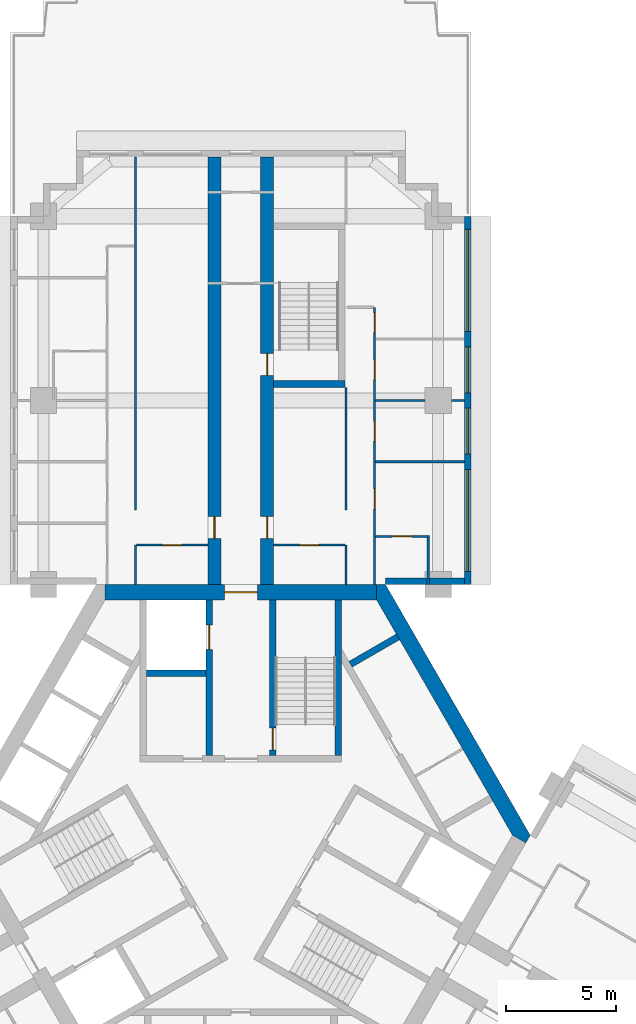
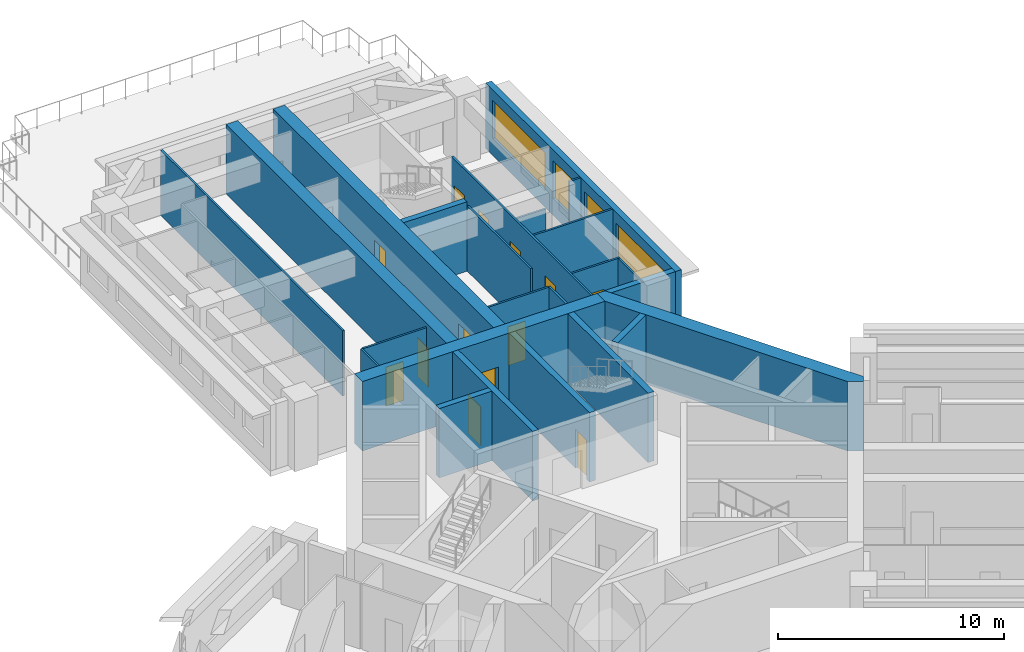
# One storey, part 8 of 12: 24 walls, 13 doors, 4 windows, 17 openings.
"""IFC4 building model written with IfcOpenShell, lengths in metres."""

from ifc_helpers import new_model, si_unit, direction, frame, frame_2d, origin, place, context, subcontext, project, spatial, polyline, rectangle, outline, extrude, material, layer, layer_set, type_object, element, fill, save


model = new_model("IFC4")

# Units and contexts
model_context = context("Model", 3, precision=1e-05, world=origin(), true_north=direction((0.0, 1.0)))
body_context = subcontext(model_context, "Body", "Model", "MODEL_VIEW")
ifc_project = project(units=[si_unit("LENGTHUNIT", "METRE"), si_unit("AREAUNIT", "SQUARE_METRE"), si_unit("VOLUMEUNIT", "CUBIC_METRE"), si_unit("PLANEANGLEUNIT", "RADIAN"), si_unit("MASSUNIT", "GRAM", prefix="KILO")], contexts=[model_context])

# Site, building, storey
site_placement = place(None, origin())
site = spatial("IfcSite", under=ifc_project, at=site_placement, CompositionType="ELEMENT")
building_placement = place(site_placement, origin())
building = spatial("IfcBuilding", under=site, at=building_placement, Name="Impinga Residences", CompositionType="ELEMENT")
storey_placement = place(building_placement, frame((0.0, 0.0, 188.5)))
storey = spatial("IfcBuildingStorey", under=building, at=storey_placement, Name="L46", CompositionType="ELEMENT", Elevation=188.5)

# Wall, opening, door
ifc_material_1 = material(Name="Concrete C60/75", Category="concrete")
ifc_layer_1 = layer(ifc_material_1, 0.60009765625)
ifc_layer_set_1 = layer_set([ifc_layer_1], Name="Concrete C60/75")
wall_type_1 = type_object("IfcWallType", Name="BW3 corridor buttress wall, L46 to L73 600", PredefinedType="SHEAR", material=ifc_layer_set_1)
wall_1_placement = place(storey_placement, frame((-1.199951171875, 11.08154296875, 0.0), z_axis=(0.0, 0.0, 1.0), x_axis=(0.0, 1.0, 0.0)))
wall_1 = element("IfcWall", 1, at=wall_1_placement, inside=storey, type_object=wall_type_1, Name="Corridor wall BW3 NC L46", PredefinedType="SHEAR", context=body_context, shape_type="SweptSolid", body=[
    extrude(rectangle(XDim=19.85009765625, YDim=0.60009765625, at=frame_2d((9.925048828125, 0.0))), origin(), (0.0, 0.0, 1.0), 3.75),
])
opening_1_placement = place(wall_1_placement, frame((2.449951171875, 0.0, 0.0)))
opening_1 = element("IfcOpeningElement", 2, at=opening_1_placement, cuts=wall_1, Name="Opening D1", PredefinedType="OPENING", context=body_context, shape_type="SweptSolid", body=[
    extrude(rectangle(XDim=1.0, YDim=2.10009765625, at=frame_2d((0.5, 1.050048828125))), frame((0.0, 0.31005859375, 0.0), z_axis=(0.0, -1.0, 0.0), x_axis=(1.0, 0.0, 0.0)), (0.0, 0.0, 1.0), 0.6201171875),
])
ifc_material_2 = material(Name="Timber door set", Category="wood")
door_type_1 = type_object("IfcDoorType", Name="D1 apartment entrance door 1000x2100", OperationType="SINGLE_SWING_LEFT", PredefinedType="DOOR", material=ifc_material_2)
door_1_placement = place(opening_1_placement, origin())
door_1 = element("IfcDoor", 3, at=door_1_placement, inside=storey, type_object=door_type_1, Name="Apartment L46-NA1 entrance", OperationType="SINGLE_SWING_LEFT", OverallHeight=2.10009765625, OverallWidth=1.0, PredefinedType="DOOR", context=body_context, shape_type="SweptSolid", body=[
    extrude(rectangle(XDim=1.0, YDim=2.10009765625, at=frame_2d((0.5, 1.050048828125))), frame((0.0, 0.02490234375, 0.0), z_axis=(0.0, -1.0, 0.0), x_axis=(1.0, 0.0, 0.0)), (0.0, 0.0, 1.0), 0.050048828125),
])
fill(opening_1, door_1)

# Wall, openings, doors
wall_2_placement = place(storey_placement, frame((1.199951171875, 11.08154296875, 0.0), z_axis=(0.0, 0.0, 1.0), x_axis=(0.0, 1.0, 0.0)))
wall_2 = element("IfcWall", 4, at=wall_2_placement, inside=storey, type_object=wall_type_1, Name="Corridor wall BW3 ND L46", PredefinedType="SHEAR", context=body_context, shape_type="SweptSolid", body=[
    extrude(rectangle(XDim=19.85009765625, YDim=0.60009765625, at=frame_2d((9.925048828125, 0.0))), origin(), (0.0, 0.0, 1.0), 3.75),
])
opening_2_placement = place(wall_2_placement, frame((9.89990234375, 0.0, 0.0)))
opening_2 = element("IfcOpeningElement", 5, at=opening_2_placement, cuts=wall_2, Name="Opening D5", PredefinedType="OPENING", context=body_context, shape_type="SweptSolid", body=[
    extrude(rectangle(XDim=1.0, YDim=2.10009765625, at=frame_2d((0.5, 1.050048828125))), frame((0.0, 0.31005859375, 0.0), z_axis=(0.0, -1.0, 0.0), x_axis=(1.0, 0.0, 0.0)), (0.0, 0.0, 1.0), 0.6201171875),
])
opening_3_placement = place(wall_2_placement, frame((2.449951171875, 0.0, 0.0)))
opening_3 = element("IfcOpeningElement", 6, at=opening_3_placement, cuts=wall_2, Name="Opening D1", PredefinedType="OPENING", context=body_context, shape_type="SweptSolid", body=[
    extrude(rectangle(XDim=1.0, YDim=2.10009765625, at=frame_2d((0.5, 1.050048828125))), frame((0.0, 0.31005859375, 0.0), z_axis=(0.0, -1.0, 0.0), x_axis=(1.0, 0.0, 0.0)), (0.0, 0.0, 1.0), 0.6201171875),
])
door_2_placement = place(opening_3_placement, origin())
door_2 = element("IfcDoor", 7, at=door_2_placement, inside=storey, type_object=door_type_1, Name="Apartment L46-NF1 entrance", OperationType="SINGLE_SWING_LEFT", OverallHeight=2.10009765625, OverallWidth=1.0, PredefinedType="DOOR", context=body_context, shape_type="SweptSolid", body=[
    extrude(rectangle(XDim=1.0, YDim=2.10009765625, at=frame_2d((0.5, 1.050048828125))), frame((0.0, 0.02490234375, 0.0), z_axis=(0.0, -1.0, 0.0), x_axis=(1.0, 0.0, 0.0)), (0.0, 0.0, 1.0), 0.050048828125),
])
fill(opening_3, door_2)
door_type_2 = type_object("IfcDoorType", Name="D5 stair door 1000x2100", OperationType="SINGLE_SWING_LEFT", PredefinedType="DOOR", material=ifc_material_2)
door_3_placement = place(opening_2_placement, origin())
door_3 = element("IfcDoor", 8, at=door_3_placement, inside=storey, type_object=door_type_2, Name="Wing stair door N", OperationType="SINGLE_SWING_RIGHT", OverallHeight=2.10009765625, OverallWidth=1.0, PredefinedType="DOOR", context=body_context, shape_type="SweptSolid", body=[
    extrude(rectangle(XDim=1.0, YDim=2.10009765625, at=frame_2d((0.5, 1.050048828125))), frame((0.0, 0.02490234375, 0.0), z_axis=(0.0, -1.0, 0.0), x_axis=(1.0, 0.0, 0.0)), (0.0, 0.0, 1.0), 0.050048828125),
])
fill(opening_2, door_3)

# Wall, openings, windows
ifc_material_3 = material(Name="Terracotta rainscreen on blockwork", Category="masonry")
ifc_layer_2 = layer(ifc_material_3, 0.300048828125)
ifc_layer_set_2 = layer_set([ifc_layer_2], Name="EW1 external wall, terracotta rainscreen on blockwork 300")
wall_type_2 = type_object("IfcWallType", Name="EW1 external wall, terracotta rainscreen on blockwork 300", PredefinedType="SOLIDWALL", material=ifc_layer_set_2)
wall_3_placement = place(storey_placement, frame((10.35009765625, 28.2314453125, 0.0), z_axis=(0.0, 0.0, 1.0), x_axis=(0.0, -1.0, 0.0)))
wall_3 = element("IfcWall", 9, at=wall_3_placement, inside=storey, type_object=wall_type_2, Name="External wall EW1 L46", PredefinedType="SOLIDWALL", context=body_context, shape_type="SweptSolid", body=[
    extrude(rectangle(XDim=16.7998046875, YDim=0.300048828125, at=frame_2d((8.39990234375, 0.0))), origin(), (0.0, 0.0, 1.0), 3.530029296875),
])
opening_4_placement = place(wall_3_placement, frame((0.60009765625, 0.0, 0.89990234375)))
opening_4 = element("IfcOpeningElement", 10, at=opening_4_placement, cuts=wall_3, Name="Opening W10", PredefinedType="OPENING", context=body_context, shape_type="SweptSolid", body=[
    extrude(rectangle(XDim=4.64990234375, YDim=2.050048828125, at=frame_2d((2.324951171875, 1.02490234375))), frame((0.0, 0.159912109375, 0.0), z_axis=(0.0, -1.0, 0.0), x_axis=(1.0, 0.0, 0.0)), (0.0, 0.0, 1.0), 0.320068359375),
])
opening_5_placement = place(wall_3_placement, frame((5.949951171875, 0.0, 0.89990234375)))
opening_5 = element("IfcOpeningElement", 11, at=opening_5_placement, cuts=wall_3, Name="Opening W9", PredefinedType="OPENING", context=body_context, shape_type="SweptSolid", body=[
    extrude(rectangle(XDim=2.10009765625, YDim=2.050048828125, at=frame_2d((1.050048828125, 1.02490234375))), frame((0.0, 0.159912109375, 0.0), z_axis=(0.0, -1.0, 0.0), x_axis=(1.0, 0.0, 0.0)), (0.0, 0.0, 1.0), 0.320068359375),
])
opening_6_placement = place(wall_3_placement, frame((8.75, 0.0, 0.89990234375)))
opening_6 = element("IfcOpeningElement", 12, at=opening_6_placement, cuts=wall_3, Name="Opening W9", PredefinedType="OPENING", context=body_context, shape_type="SweptSolid", body=[
    extrude(rectangle(XDim=2.10009765625, YDim=2.050048828125, at=frame_2d((1.050048828125, 1.02490234375))), frame((0.0, 0.159912109375, 0.0), z_axis=(0.0, -1.0, 0.0), x_axis=(1.0, 0.0, 0.0)), (0.0, 0.0, 1.0), 0.320068359375),
])
opening_7_placement = place(wall_3_placement, frame((11.550048828125, 0.0, 0.89990234375)))
opening_7 = element("IfcOpeningElement", 13, at=opening_7_placement, cuts=wall_3, Name="Opening W10", PredefinedType="OPENING", context=body_context, shape_type="SweptSolid", body=[
    extrude(rectangle(XDim=4.64990234375, YDim=2.050048828125, at=frame_2d((2.324951171875, 1.02490234375))), frame((0.0, 0.159912109375, 0.0), z_axis=(0.0, -1.0, 0.0), x_axis=(1.0, 0.0, 0.0)), (0.0, 0.0, 1.0), 0.320068359375),
])
ifc_material_4 = material(Name="Aluminium window, clear double glazing", Category="aluminium")
window_type_1 = type_object("IfcWindowType", Name="W10 ribbon window 4650x2050", PartitioningType="SINGLE_PANEL", PredefinedType="WINDOW", material=ifc_material_4)
window_1_placement = place(opening_4_placement, origin())
window_1 = element("IfcWindow", 14, at=window_1_placement, inside=storey, type_object=window_type_1, Name="Window L46", OverallHeight=2.050048828125, OverallWidth=4.64990234375, PartitioningType="SINGLE_PANEL", PredefinedType="WINDOW", context=body_context, shape_type="SweptSolid", body=[
    extrude(rectangle(XDim=4.64990234375, YDim=2.050048828125, at=frame_2d((2.324951171875, 1.02490234375))), frame((0.0, 0.030029296875, 0.0), z_axis=(0.0, -1.0, 0.0), x_axis=(1.0, 0.0, 0.0)), (0.0, 0.0, 1.0), 0.06005859375),
])
fill(opening_4, window_1)
window_2_placement = place(opening_7_placement, origin())
window_2 = element("IfcWindow", 15, at=window_2_placement, inside=storey, type_object=window_type_1, Name="Window L46", OverallHeight=2.050048828125, OverallWidth=4.64990234375, PartitioningType="SINGLE_PANEL", PredefinedType="WINDOW", context=body_context, shape_type="SweptSolid", body=[
    extrude(rectangle(XDim=4.64990234375, YDim=2.050048828125, at=frame_2d((2.324951171875, 1.02490234375))), frame((0.0, 0.030029296875, 0.0), z_axis=(0.0, -1.0, 0.0), x_axis=(1.0, 0.0, 0.0)), (0.0, 0.0, 1.0), 0.06005859375),
])
fill(opening_7, window_2)
window_type_2 = type_object("IfcWindowType", Name="W9 ribbon window 2100x2050", PartitioningType="SINGLE_PANEL", PredefinedType="WINDOW", material=ifc_material_4)
window_3_placement = place(opening_5_placement, origin())
window_3 = element("IfcWindow", 16, at=window_3_placement, inside=storey, type_object=window_type_2, Name="Window L46", OverallHeight=2.050048828125, OverallWidth=2.10009765625, PartitioningType="SINGLE_PANEL", PredefinedType="WINDOW", context=body_context, shape_type="SweptSolid", body=[
    extrude(rectangle(XDim=2.10009765625, YDim=2.050048828125, at=frame_2d((1.050048828125, 1.02490234375))), frame((0.0, 0.030029296875, 0.0), z_axis=(0.0, -1.0, 0.0), x_axis=(1.0, 0.0, 0.0)), (0.0, 0.0, 1.0), 0.06005859375),
])
fill(opening_5, window_3)
window_4_placement = place(opening_6_placement, origin())
window_4 = element("IfcWindow", 17, at=window_4_placement, inside=storey, type_object=window_type_2, Name="Window L46", OverallHeight=2.050048828125, OverallWidth=2.10009765625, PartitioningType="SINGLE_PANEL", PredefinedType="WINDOW", context=body_context, shape_type="SweptSolid", body=[
    extrude(rectangle(XDim=2.10009765625, YDim=2.050048828125, at=frame_2d((1.050048828125, 1.02490234375))), frame((0.0, 0.030029296875, 0.0), z_axis=(0.0, -1.0, 0.0), x_axis=(1.0, 0.0, 0.0)), (0.0, 0.0, 1.0), 0.06005859375),
])
fill(opening_6, window_4)

# Walls
wall_4_placement = place(storey_placement, frame((10.199951171875, 11.58154296875, 0.0), z_axis=(0.0, 0.0, 1.0), x_axis=(-1.0, 0.0, 0.0)))
element("IfcWall", 18, at=wall_4_placement, inside=storey, type_object=wall_type_2, Name="External wall EW1 L46", PredefinedType="SOLIDWALL", context=body_context, shape_type="SweptSolid", body=[
    extrude(rectangle(XDim=3.599853515625, YDim=0.300048828125, at=frame_2d((1.7998046875, 0.0))), origin(), (0.0, 0.0, 1.0), 3.530029296875),
])
ifc_material_5 = material(Name="Gypsum board on steel studs", Category="steel")
ifc_layer_3 = layer(ifc_material_5, 0.10009765625)
ifc_layer_set_3 = layer_set([ifc_layer_3], Name="Gypsum board on steel studs")
wall_type_3 = type_object("IfcWallType", Name="IP1 partition 100", PredefinedType="PARTITIONING", material=ifc_layer_set_3)
wall_5_placement = place(storey_placement, frame((-4.800048828125, 11.431640625, 0.0), z_axis=(0.0, 0.0, 1.0), x_axis=(0.0, 1.0, 0.0)))
element("IfcWall", 19, at=wall_5_placement, inside=storey, type_object=wall_type_3, Name="Partition L46-NA1:DIV0", PredefinedType="PARTITIONING", context=body_context, shape_type="SweptSolid", body=[
    extrude(rectangle(XDim=1.7998046875, YDim=0.10009765625, at=frame_2d((0.89990234375, 0.0))), origin(), (0.0, 0.0, 1.0), 3.530029296875),
])
wall_6_placement = place(storey_placement, frame((-4.800048828125, 14.83154296875, 0.0), z_axis=(0.0, 0.0, 1.0), x_axis=(0.0, 1.0, 0.0)))
element("IfcWall", 20, at=wall_6_placement, inside=storey, type_object=wall_type_3, Name="Partition L46-NA1:DIV1", PredefinedType="PARTITIONING", context=body_context, shape_type="SweptSolid", body=[
    extrude(rectangle(XDim=16.10009765625, YDim=0.10009765625, at=frame_2d((8.050048828125, 0.0))), origin(), (0.0, 0.0, 1.0), 3.530029296875),
])

# Wall, opening, door
wall_7_placement = place(storey_placement, frame((-1.5, 13.2314453125, 0.0), z_axis=(0.0, 0.0, 1.0), x_axis=(-1.0, 0.0, 0.0)))
wall_7 = element("IfcWall", 21, at=wall_7_placement, inside=storey, type_object=wall_type_3, Name="Partition L46-NA1:IB1", PredefinedType="PARTITIONING", context=body_context, shape_type="SweptSolid", body=[
    extrude(rectangle(XDim=3.25, YDim=0.10009765625, at=frame_2d((1.625, 0.0))), origin(), (0.0, 0.0, 1.0), 3.530029296875),
])
opening_8_placement = place(wall_7_placement, frame((1.175048828125, 0.0, 0.0)))
opening_8 = element("IfcOpeningElement", 22, at=opening_8_placement, cuts=wall_7, Name="Opening D2", PredefinedType="OPENING", context=body_context, shape_type="SweptSolid", body=[
    extrude(rectangle(XDim=0.89990234375, YDim=2.10009765625, at=frame_2d((0.449951171875, 1.050048828125))), frame((0.0, 0.06005859375, 0.0), z_axis=(0.0, -1.0, 0.0), x_axis=(1.0, 0.0, 0.0)), (0.0, 0.0, 1.0), 0.1201171875),
])
door_type_3 = type_object("IfcDoorType", Name="D2 internal door 900x2100", OperationType="SINGLE_SWING_LEFT", PredefinedType="DOOR", material=ifc_material_2)
door_4_placement = place(opening_8_placement, origin())
door_4 = element("IfcDoor", 23, at=door_4_placement, inside=storey, type_object=door_type_3, Name="Apartment L46-NA1 bathroom door", OperationType="SINGLE_SWING_LEFT", OverallHeight=2.10009765625, OverallWidth=0.89990234375, PredefinedType="DOOR", context=body_context, shape_type="SweptSolid", body=[
    extrude(rectangle(XDim=0.89990234375, YDim=2.10009765625, at=frame_2d((0.449951171875, 1.050048828125))), frame((0.0, 0.02490234375, 0.0), z_axis=(0.0, -1.0, 0.0), x_axis=(1.0, 0.0, 0.0)), (0.0, 0.0, 1.0), 0.050048828125),
])
fill(opening_8, door_4)

# Walls
wall_8_placement = place(storey_placement, frame((4.800048828125, 11.431640625, 0.0), z_axis=(0.0, 0.0, 1.0), x_axis=(0.0, 1.0, 0.0)))
element("IfcWall", 24, at=wall_8_placement, inside=storey, type_object=wall_type_3, Name="Partition L46-NF1:DIV0", PredefinedType="PARTITIONING", context=body_context, shape_type="SweptSolid", body=[
    extrude(rectangle(XDim=1.7998046875, YDim=0.10009765625, at=frame_2d((0.89990234375, 0.0))), origin(), (0.0, 0.0, 1.0), 3.530029296875),
])
wall_9_placement = place(storey_placement, frame((4.800048828125, 14.83154296875, 0.0), z_axis=(0.0, 0.0, 1.0), x_axis=(0.0, 1.0, 0.0)))
element("IfcWall", 25, at=wall_9_placement, inside=storey, type_object=wall_type_3, Name="Partition L46-NF1:DIV1", PredefinedType="PARTITIONING", context=body_context, shape_type="SweptSolid", body=[
    extrude(rectangle(XDim=5.60009765625, YDim=0.10009765625, at=frame_2d((2.800048828125, 0.0))), origin(), (0.0, 0.0, 1.0), 3.530029296875),
])

# Wall, openings, doors
wall_10_placement = place(storey_placement, frame((6.10009765625, 11.431640625, 0.0), z_axis=(0.0, 0.0, 1.0), x_axis=(0.0, 1.0, 0.0)))
wall_10 = element("IfcWall", 26, at=wall_10_placement, inside=storey, type_object=wall_type_3, Name="Partition L46-NF1:STRIP", PredefinedType="PARTITIONING", context=body_context, shape_type="SweptSolid", body=[
    extrude(rectangle(XDim=12.64990234375, YDim=0.10009765625, at=frame_2d((6.324951171875, 0.0))), origin(), (0.0, 0.0, 1.0), 3.530029296875),
])
opening_9_placement = place(wall_10_placement, frame((3.449951171875, 0.0, 0.0)))
opening_9 = element("IfcOpeningElement", 27, at=opening_9_placement, cuts=wall_10, Name="Opening D2", PredefinedType="OPENING", context=body_context, shape_type="SweptSolid", body=[
    extrude(rectangle(XDim=0.89990234375, YDim=2.10009765625, at=frame_2d((0.449951171875, 1.050048828125))), frame((0.0, 0.06005859375, 0.0), z_axis=(0.0, -1.0, 0.0), x_axis=(1.0, 0.0, 0.0)), (0.0, 0.0, 1.0), 0.1201171875),
])
opening_10_placement = place(wall_10_placement, frame((6.550048828125, 0.0, 0.0)))
opening_10 = element("IfcOpeningElement", 28, at=opening_10_placement, cuts=wall_10, Name="Opening D2", PredefinedType="OPENING", context=body_context, shape_type="SweptSolid", body=[
    extrude(rectangle(XDim=0.89990234375, YDim=2.10009765625, at=frame_2d((0.449951171875, 1.050048828125))), frame((0.0, 0.06005859375, 0.0), z_axis=(0.0, -1.0, 0.0), x_axis=(1.0, 0.0, 0.0)), (0.0, 0.0, 1.0), 0.1201171875),
])
opening_11_placement = place(wall_10_placement, frame((9.35009765625, 0.0, 0.0)))
opening_11 = element("IfcOpeningElement", 29, at=opening_11_placement, cuts=wall_10, Name="Opening D2", PredefinedType="OPENING", context=body_context, shape_type="SweptSolid", body=[
    extrude(rectangle(XDim=0.89990234375, YDim=2.10009765625, at=frame_2d((0.449951171875, 1.050048828125))), frame((0.0, 0.06005859375, 0.0), z_axis=(0.0, -1.0, 0.0), x_axis=(1.0, 0.0, 0.0)), (0.0, 0.0, 1.0), 0.1201171875),
])
opening_12_placement = place(wall_10_placement, frame((11.5, 0.0, 0.0)))
opening_12 = element("IfcOpeningElement", 30, at=opening_12_placement, cuts=wall_10, Name="Opening D2", PredefinedType="OPENING", context=body_context, shape_type="SweptSolid", body=[
    extrude(rectangle(XDim=0.89990234375, YDim=2.10009765625, at=frame_2d((0.449951171875, 1.050048828125))), frame((0.0, 0.06005859375, 0.0), z_axis=(0.0, -1.0, 0.0), x_axis=(1.0, 0.0, 0.0)), (0.0, 0.0, 1.0), 0.1201171875),
])
door_5_placement = place(opening_9_placement, origin())
door_5 = element("IfcDoor", 31, at=door_5_placement, inside=storey, type_object=door_type_3, Name="Apartment L46-NF1 room door", OperationType="SINGLE_SWING_LEFT", OverallHeight=2.10009765625, OverallWidth=0.89990234375, PredefinedType="DOOR", context=body_context, shape_type="SweptSolid", body=[
    extrude(rectangle(XDim=0.89990234375, YDim=2.10009765625, at=frame_2d((0.449951171875, 1.050048828125))), frame((0.0, 0.02490234375, 0.0), z_axis=(0.0, -1.0, 0.0), x_axis=(1.0, 0.0, 0.0)), (0.0, 0.0, 1.0), 0.050048828125),
])
fill(opening_9, door_5)
door_6_placement = place(opening_10_placement, origin())
door_6 = element("IfcDoor", 32, at=door_6_placement, inside=storey, type_object=door_type_3, Name="Apartment L46-NF1 room door", OperationType="SINGLE_SWING_RIGHT", OverallHeight=2.10009765625, OverallWidth=0.89990234375, PredefinedType="DOOR", context=body_context, shape_type="SweptSolid", body=[
    extrude(rectangle(XDim=0.89990234375, YDim=2.10009765625, at=frame_2d((0.449951171875, 1.050048828125))), frame((0.0, 0.02490234375, 0.0), z_axis=(0.0, -1.0, 0.0), x_axis=(1.0, 0.0, 0.0)), (0.0, 0.0, 1.0), 0.050048828125),
])
fill(opening_10, door_6)
door_7_placement = place(opening_11_placement, origin())
door_7 = element("IfcDoor", 33, at=door_7_placement, inside=storey, type_object=door_type_3, Name="Apartment L46-NF1 room door", OperationType="SINGLE_SWING_RIGHT", OverallHeight=2.10009765625, OverallWidth=0.89990234375, PredefinedType="DOOR", context=body_context, shape_type="SweptSolid", body=[
    extrude(rectangle(XDim=0.89990234375, YDim=2.10009765625, at=frame_2d((0.449951171875, 1.050048828125))), frame((0.0, 0.02490234375, 0.0), z_axis=(0.0, -1.0, 0.0), x_axis=(1.0, 0.0, 0.0)), (0.0, 0.0, 1.0), 0.050048828125),
])
fill(opening_11, door_7)
door_8_placement = place(opening_12_placement, origin())
door_8 = element("IfcDoor", 34, at=door_8_placement, inside=storey, type_object=door_type_3, Name="Apartment L46-NF1 room door", OperationType="SINGLE_SWING_RIGHT", OverallHeight=2.10009765625, OverallWidth=0.89990234375, PredefinedType="DOOR", context=body_context, shape_type="SweptSolid", body=[
    extrude(rectangle(XDim=0.89990234375, YDim=2.10009765625, at=frame_2d((0.449951171875, 1.050048828125))), frame((0.0, 0.02490234375, 0.0), z_axis=(0.0, -1.0, 0.0), x_axis=(1.0, 0.0, 0.0)), (0.0, 0.0, 1.0), 0.050048828125),
])
fill(opening_12, door_8)

# Wall, opening, door
wall_11_placement = place(storey_placement, frame((1.5, 13.2314453125, 0.0), z_axis=(0.0, 0.0, 1.0), x_axis=(1.0, 0.0, 0.0)))
wall_11 = element("IfcWall", 35, at=wall_11_placement, inside=storey, type_object=wall_type_3, Name="Partition L46-NF1:IB1", PredefinedType="PARTITIONING", context=body_context, shape_type="SweptSolid", body=[
    extrude(rectangle(XDim=3.25, YDim=0.10009765625, at=frame_2d((1.625, 0.0))), origin(), (0.0, 0.0, 1.0), 3.530029296875),
])
opening_13_placement = place(wall_11_placement, frame((1.175048828125, 0.0, 0.0)))
opening_13 = element("IfcOpeningElement", 36, at=opening_13_placement, cuts=wall_11, Name="Opening D2", PredefinedType="OPENING", context=body_context, shape_type="SweptSolid", body=[
    extrude(rectangle(XDim=0.89990234375, YDim=2.10009765625, at=frame_2d((0.449951171875, 1.050048828125))), frame((0.0, 0.06005859375, 0.0), z_axis=(0.0, -1.0, 0.0), x_axis=(1.0, 0.0, 0.0)), (0.0, 0.0, 1.0), 0.1201171875),
])
door_9_placement = place(opening_13_placement, origin())
door_9 = element("IfcDoor", 37, at=door_9_placement, inside=storey, type_object=door_type_3, Name="Apartment L46-NF1 bathroom door", OperationType="SINGLE_SWING_LEFT", OverallHeight=2.10009765625, OverallWidth=0.89990234375, PredefinedType="DOOR", context=body_context, shape_type="SweptSolid", body=[
    extrude(rectangle(XDim=0.89990234375, YDim=2.10009765625, at=frame_2d((0.449951171875, 1.050048828125))), frame((0.0, 0.02490234375, 0.0), z_axis=(0.0, -1.0, 0.0), x_axis=(1.0, 0.0, 0.0)), (0.0, 0.0, 1.0), 0.050048828125),
])
fill(opening_13, door_9)

# Walls
wall_12_placement = place(storey_placement, frame((6.14990234375, 17.031494140625, 0.0), z_axis=(0.0, 0.0, 1.0), x_axis=(1.0, 0.0, 0.0)))
element("IfcWall", 38, at=wall_12_placement, inside=storey, type_object=wall_type_3, Name="Partition L46-NF1:OB1", PredefinedType="PARTITIONING", context=body_context, shape_type="SweptSolid", body=[
    extrude(rectangle(XDim=4.050048828125, YDim=0.10009765625, at=frame_2d((2.02490234375, 0.0))), origin(), (0.0, 0.0, 1.0), 3.530029296875),
])
wall_13_placement = place(storey_placement, frame((6.14990234375, 19.83154296875, 0.0), z_axis=(0.0, 0.0, 1.0), x_axis=(1.0, 0.0, 0.0)))
element("IfcWall", 39, at=wall_13_placement, inside=storey, type_object=wall_type_3, Name="Partition L46-NF1:OB2", PredefinedType="PARTITIONING", context=body_context, shape_type="SweptSolid", body=[
    extrude(rectangle(XDim=2.25, YDim=0.10009765625, at=frame_2d((1.125, 0.0))), origin(), (0.0, 0.0, 1.0), 2.47998046875),
])
wall_14_placement = place(storey_placement, frame((9.60009765625, 19.83154296875, 0.0), z_axis=(0.0, 0.0, 1.0), x_axis=(1.0, 0.0, 0.0)))
element("IfcWall", 40, at=wall_14_placement, inside=storey, type_object=wall_type_3, Name="Partition L46-NF1:OB2b", PredefinedType="PARTITIONING", context=body_context, shape_type="SweptSolid", body=[
    extrude(rectangle(XDim=0.599853515625, YDim=0.10009765625, at=frame_2d((0.2998046875, 0.0))), origin(), (0.0, 0.0, 1.0), 3.530029296875),
])

# Wall, opening, door
wall_15_placement = place(storey_placement, frame((6.14990234375, 13.631591796875, 0.0), z_axis=(0.0, 0.0, 1.0), x_axis=(1.0, 0.0, 0.0)))
wall_15 = element("IfcWall", 41, at=wall_15_placement, inside=storey, type_object=wall_type_3, Name="Partition L46-NF1:EN1", PredefinedType="PARTITIONING", context=body_context, shape_type="SweptSolid", body=[
    extrude(rectangle(XDim=2.4501953125, YDim=0.10009765625, at=frame_2d((1.22509765625, 0.0))), origin(), (0.0, 0.0, 1.0), 3.530029296875),
])
opening_14_placement = place(wall_15_placement, frame((0.75, 0.0, 0.0)))
opening_14 = element("IfcOpeningElement", 42, at=opening_14_placement, cuts=wall_15, Name="Opening D2", PredefinedType="OPENING", context=body_context, shape_type="SweptSolid", body=[
    extrude(rectangle(XDim=0.89990234375, YDim=2.10009765625, at=frame_2d((0.449951171875, 1.050048828125))), frame((0.0, 0.06005859375, 0.0), z_axis=(0.0, -1.0, 0.0), x_axis=(1.0, 0.0, 0.0)), (0.0, 0.0, 1.0), 0.1201171875),
])
door_10_placement = place(opening_14_placement, origin())
door_10 = element("IfcDoor", 43, at=door_10_placement, inside=storey, type_object=door_type_3, Name="Apartment L46-NF1 en-suite door", OperationType="SINGLE_SWING_LEFT", OverallHeight=2.10009765625, OverallWidth=0.89990234375, PredefinedType="DOOR", context=body_context, shape_type="SweptSolid", body=[
    extrude(rectangle(XDim=0.89990234375, YDim=2.10009765625, at=frame_2d((0.449951171875, 1.050048828125))), frame((0.0, 0.02490234375, 0.0), z_axis=(0.0, -1.0, 0.0), x_axis=(1.0, 0.0, 0.0)), (0.0, 0.0, 1.0), 0.050048828125),
])
fill(opening_14, door_10)

# Walls
wall_16_placement = place(storey_placement, frame((8.550048828125, 11.431640625, 0.0), z_axis=(0.0, 0.0, 1.0), x_axis=(0.0, 1.0, 0.0)))
element("IfcWall", 44, at=wall_16_placement, inside=storey, type_object=wall_type_3, Name="Partition L46-NF1:EN2", PredefinedType="PARTITIONING", context=body_context, shape_type="SweptSolid", body=[
    extrude(rectangle(XDim=2.14990234375, YDim=0.10009765625, at=frame_2d((1.074951171875, 0.0))), origin(), (0.0, 0.0, 1.0), 3.530029296875),
])
ifc_layer_4 = layer(ifc_material_1, 0.300048828125)
ifc_layer_set_4 = layer_set([ifc_layer_4], Name="Concrete C60/75")
wall_type_4 = type_object("IfcWallType", Name="SE1 wing stair enclosure wall 300", PredefinedType="SOLIDWALL", material=ifc_layer_set_4)
wall_17_placement = place(storey_placement, frame((1.5, 20.58154296875, 0.0), z_axis=(0.0, 0.0, 1.0), x_axis=(1.0, 0.0, 0.0)))
element("IfcWall", 45, at=wall_17_placement, inside=storey, type_object=wall_type_4, Name="Stair enclosure wall SE1 N END0 L46", PredefinedType="SOLIDWALL", context=body_context, shape_type="SweptSolid", body=[
    extrude(rectangle(XDim=3.25, YDim=0.300048828125, at=frame_2d((1.625, 0.0))), origin(), (0.0, 0.0, 1.0), 3.75),
])

# Wall, opening, door
ifc_layer_5 = layer(ifc_material_1, 0.699951171875)
ifc_layer_set_5 = layer_set([ifc_layer_5], Name="Concrete C60/75")
wall_type_5 = type_object("IfcWallType", Name="SW3 core wall 700", PredefinedType="SHEAR", material=ifc_layer_set_5)
wall_18_placement = place(storey_placement, frame((-6.19580078125, 11.08154296875, 0.0), z_axis=(0.0, 0.0, 1.0), x_axis=(1.0, 0.0, 0.0)))
wall_18 = element("IfcWall", 46, at=wall_18_placement, inside=storey, type_object=wall_type_5, Name="Core wall SW3 N:FACE L46", PredefinedType="SHEAR", context=body_context, shape_type="SweptSolid", body=[
    extrude(rectangle(XDim=12.3916015625, YDim=0.699951171875, at=frame_2d((6.19580078125, 0.0))), origin(), (0.0, 0.0, 1.0), 3.75),
])
opening_15_placement = place(wall_18_placement, frame((5.44580078125, 0.0, 0.0)))
opening_15 = element("IfcOpeningElement", 47, at=opening_15_placement, cuts=wall_18, Name="Opening D4", PredefinedType="OPENING", context=body_context, shape_type="SweptSolid", body=[
    extrude(rectangle(XDim=1.5, YDim=2.10009765625, at=frame_2d((0.75, 1.050048828125))), frame((0.0, 0.35986328125, 0.0), z_axis=(0.0, -1.0, 0.0), x_axis=(1.0, 0.0, 0.0)), (0.0, 0.0, 1.0), 0.719970703125),
])
door_type_4 = type_object("IfcDoorType", Name="D4 lobby door pair 1500x2100", OperationType="DOUBLE_DOOR_DOUBLE_SWING", PredefinedType="DOOR", material=ifc_material_2)
door_11_placement = place(opening_15_placement, origin())
door_11 = element("IfcDoor", 48, at=door_11_placement, inside=storey, type_object=door_type_4, Name="Lobby door N", OperationType="DOUBLE_DOOR_DOUBLE_SWING", OverallHeight=2.10009765625, OverallWidth=1.5, PredefinedType="DOOR", context=body_context, shape_type="SweptSolid", body=[
    extrude(rectangle(XDim=1.5, YDim=2.10009765625, at=frame_2d((0.75, 1.050048828125))), frame((0.0, 0.02490234375, 0.0), z_axis=(0.0, -1.0, 0.0), x_axis=(1.0, 0.0, 0.0)), (0.0, 0.0, 1.0), 0.050048828125),
])
fill(opening_15, door_11)

# Wall
wall_19_placement = place(storey_placement, origin())
element("IfcWall", 49, at=wall_19_placement, inside=storey, type_object=wall_type_5, Name="Core wall SW3 W:EXPOSED L46", PredefinedType="SHEAR", context=body_context, shape_type="SweptSolid", body=[
    extrude(outline(polyline([(13.199951171875, 0.0), (6.60009765625, 11.431640625), (6.19580078125, 11.431640625), (6.19580078125, 10.7314453125), (12.3916015625, 0.0), (12.998046875, -0.35009765625), (13.199951171875, 0.0)])), origin(), (0.0, 0.0, 1.0), 3.75),
])

# Wall, opening, door
ifc_material_6 = material(Name="Concrete C70/85", Category="concrete")
ifc_layer_6 = layer(ifc_material_6, 0.300048828125)
ifc_layer_set_6 = layer_set([ifc_layer_6], Name="Concrete C70/85")
wall_type_6 = type_object("IfcWallType", Name="SW5 core inner wall, stairs, shafts and lobbies 300", PredefinedType="SHEAR", material=ifc_layer_set_6)
wall_20_placement = place(storey_placement, frame((1.449951171875, 3.6298828125, 0.0), z_axis=(0.0, 0.0, 1.0), x_axis=(0.0, 1.0, 0.0)))
wall_20 = element("IfcWall", 50, at=wall_20_placement, inside=storey, type_object=wall_type_6, Name="Core wall SW5 N:ST-IN L46", PredefinedType="SHEAR", context=body_context, shape_type="SweptSolid", body=[
    extrude(rectangle(XDim=7.1015625, YDim=0.300048828125, at=frame_2d((3.55078125, 0.0))), origin(), (0.0, 0.0, 1.0), 3.75),
])
opening_16_placement = place(wall_20_placement, frame((0.25, 0.0, 0.0)))
opening_16 = element("IfcOpeningElement", 51, at=opening_16_placement, cuts=wall_20, Name="Opening D5", PredefinedType="OPENING", context=body_context, shape_type="SweptSolid", body=[
    extrude(rectangle(XDim=1.0, YDim=2.10009765625, at=frame_2d((0.5, 1.050048828125))), frame((0.0, 0.159912109375, 0.0), z_axis=(0.0, -1.0, 0.0), x_axis=(1.0, 0.0, 0.0)), (0.0, 0.0, 1.0), 0.320068359375),
])
door_12_placement = place(opening_16_placement, origin())
door_12 = element("IfcDoor", 52, at=door_12_placement, inside=storey, type_object=door_type_2, Name="Stair door N", OperationType="SINGLE_SWING_LEFT", OverallHeight=2.10009765625, OverallWidth=1.0, PredefinedType="DOOR", context=body_context, shape_type="SweptSolid", body=[
    extrude(rectangle(XDim=1.0, YDim=2.10009765625, at=frame_2d((0.5, 1.050048828125))), frame((0.0, 0.02490234375, 0.0), z_axis=(0.0, -1.0, 0.0), x_axis=(1.0, 0.0, 0.0)), (0.0, 0.0, 1.0), 0.050048828125),
])
fill(opening_16, door_12)

# Wall
wall_21_placement = place(storey_placement, frame((4.449951171875, 3.6298828125, 0.0), z_axis=(0.0, 0.0, 1.0), x_axis=(0.0, 1.0, 0.0)))
element("IfcWall", 53, at=wall_21_placement, inside=storey, type_object=wall_type_6, Name="Core wall SW5 N:ST-OUT L46", PredefinedType="SHEAR", context=body_context, shape_type="SweptSolid", body=[
    extrude(rectangle(XDim=7.1015625, YDim=0.300048828125, at=frame_2d((3.55078125, 0.0))), origin(), (0.0, 0.0, 1.0), 3.75),
])

# Wall, opening, door
wall_22_placement = place(storey_placement, frame((-1.449951171875, 3.6298828125, 0.0), z_axis=(0.0, 0.0, 1.0), x_axis=(0.0, 1.0, 0.0)))
wall_22 = element("IfcWall", 54, at=wall_22_placement, inside=storey, type_object=wall_type_6, Name="Core wall SW5 N:FF-IN L46", PredefinedType="SHEAR", context=body_context, shape_type="SweptSolid", body=[
    extrude(rectangle(XDim=7.1015625, YDim=0.300048828125, at=frame_2d((3.55078125, 0.0))), origin(), (0.0, 0.0, 1.0), 3.75),
])
opening_17_placement = place(wall_22_placement, frame((4.85009765625, 0.0, 0.0)))
opening_17 = element("IfcOpeningElement", 55, at=opening_17_placement, cuts=wall_22, Name="Opening LD2", PredefinedType="OPENING", context=body_context, shape_type="SweptSolid", body=[
    extrude(rectangle(XDim=1.10009765625, YDim=2.10009765625, at=frame_2d((0.550048828125, 1.050048828125))), frame((0.0, 0.159912109375, 0.0), z_axis=(0.0, -1.0, 0.0), x_axis=(1.0, 0.0, 0.0)), (0.0, 0.0, 1.0), 0.320068359375),
])
ifc_material_7 = material(Name="Steel lift landing door", Category="steel")
door_type_5 = type_object("IfcDoorType", Name="LD2 firefighting lift landing door 1100x2100", OperationType="DOUBLE_DOOR_SLIDING", PredefinedType="DOOR", material=ifc_material_7)
door_13_placement = place(opening_17_placement, origin())
door_13 = element("IfcDoor", 56, at=door_13_placement, inside=storey, type_object=door_type_5, Name="Firefighting lift landing door F1", OperationType="DOUBLE_DOOR_SLIDING", OverallHeight=2.10009765625, OverallWidth=1.10009765625, PredefinedType="DOOR", context=body_context, shape_type="SweptSolid", body=[
    extrude(rectangle(XDim=1.10009765625, YDim=2.10009765625, at=frame_2d((0.550048828125, 1.050048828125))), frame((0.0, 0.02490234375, 0.0), z_axis=(0.0, -1.0, 0.0), x_axis=(1.0, 0.0, 0.0)), (0.0, 0.0, 1.0), 0.050048828125),
])
fill(opening_17, door_13)

# Walls
wall_23_placement = place(storey_placement, frame((-4.300048828125, 7.3798828125, 0.0), z_axis=(0.0, 0.0, 1.0), x_axis=(1.0, 0.0, 0.0)))
element("IfcWall", 57, at=wall_23_placement, inside=storey, type_object=wall_type_6, Name="Core wall SW5 N:FF-RS L46", PredefinedType="SHEAR", context=body_context, shape_type="SweptSolid", body=[
    extrude(rectangle(XDim=2.699951171875, YDim=0.300048828125, at=frame_2d((1.35009765625, 0.0))), origin(), (0.0, 0.0, 1.0), 3.75),
])
wall_24_placement = place(storey_placement, frame((5.003662109375, 7.79638671875, 0.0), z_axis=(0.0, 0.0, 1.0), x_axis=(0.866022959057, 0.500004234368, 0.0)))
element("IfcWall", 58, at=wall_24_placement, inside=storey, type_object=wall_type_6, Name="Core wall SW5 W:BANK-L L46", PredefinedType="SHEAR", context=body_context, shape_type="SweptSolid", body=[
    extrude(rectangle(XDim=2.5, YDim=0.300048828125, at=frame_2d((1.25, 0.0))), origin(), (0.0, 0.0, 1.0), 3.75),
])

save(model, "model.ifc")
